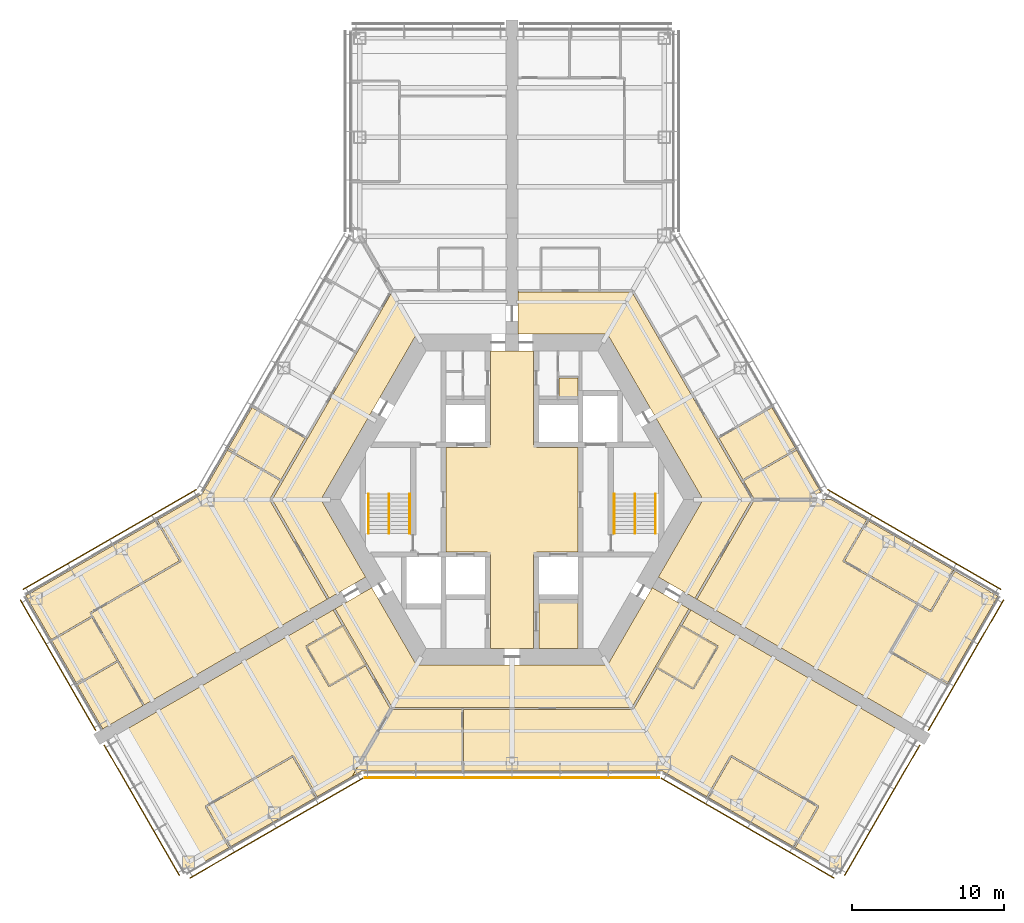
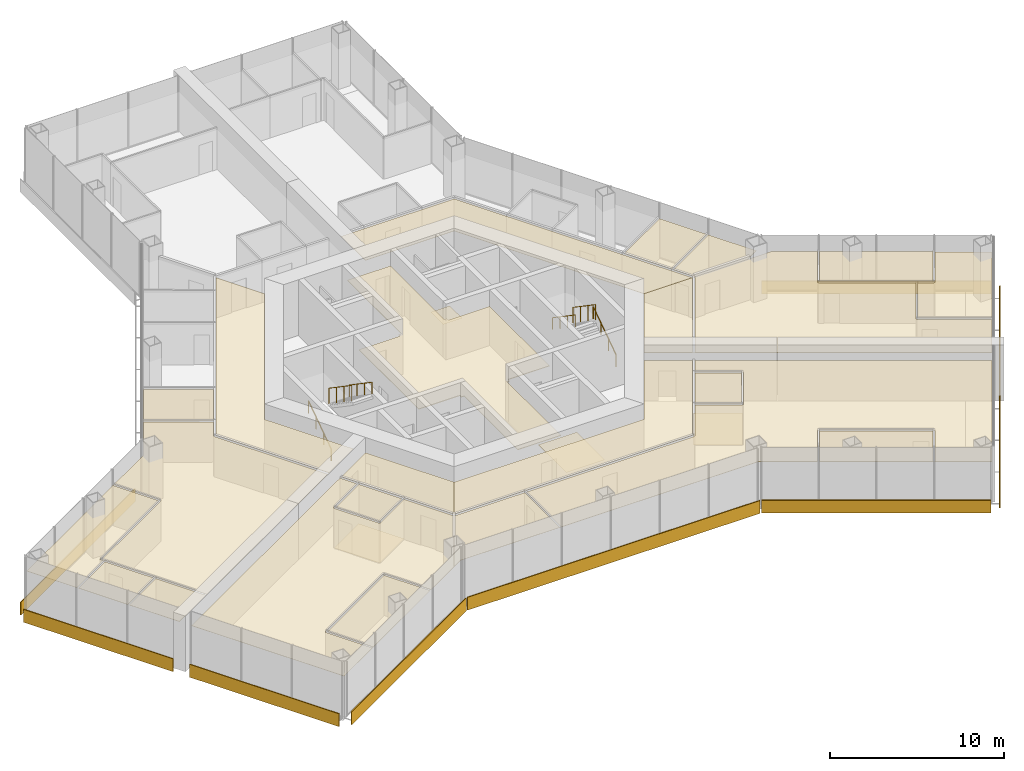
# One storey, part 18 of 19: 27 coverings, 9 shading devices, 6 railings.
"""IFC4 building model written with IfcOpenShell, lengths in metres."""

from ifc_helpers import new_model, si_unit, direction, frame, origin, origin_2d, place, context, subcontext, project, spatial, polyline, rectangle, circle, outline, extrude, material, layer, layer_set, type_object, element, save


model = new_model("IFC4")

# Units and contexts
model_context = context("Model", 3, precision=1e-05, world=origin(), true_north=direction((0.0, 1.0)))
body_context = subcontext(model_context, "Body", "Model", "MODEL_VIEW")
ifc_project = project(units=[si_unit("LENGTHUNIT", "METRE"), si_unit("AREAUNIT", "SQUARE_METRE"), si_unit("VOLUMEUNIT", "CUBIC_METRE"), si_unit("PLANEANGLEUNIT", "RADIAN"), si_unit("MASSUNIT", "GRAM", prefix="KILO")], contexts=[model_context])

# Site, building, storey
site_placement = place(None, origin())
site = spatial("IfcSite", under=ifc_project, at=site_placement, CompositionType="ELEMENT")
building_placement = place(site_placement, origin())
building = spatial("IfcBuilding", under=site, at=building_placement, Name="Kasaneha Research Tower", CompositionType="ELEMENT")
storey_placement = place(building_placement, frame((0.0, 0.0, 96.300048828125)))
storey = spatial("IfcBuildingStorey", under=building, at=storey_placement, Name="L24", CompositionType="ELEMENT", Elevation=96.300048828125)

# Covering
ifc_material_1 = material(Name="Aluminium panel ceiling", Category="aluminium")
ifc_layer_1 = layer(ifc_material_1, 0.0400390625)
ifc_layer_set_1 = layer_set([ifc_layer_1], Name="Lift lobby ceiling 40")
covering_type_1 = type_object("IfcCoveringType", Name="Lift lobby ceiling 40", PredefinedType="CEILING", material=ifc_layer_set_1)
covering_1_placement = place(storey_placement, frame((0.0, 0.0, 2.699951171875)))
element("IfcCovering", 1, at=covering_1_placement, inside=storey, type_object=covering_type_1, Name="Ceiling L24-01", PredefinedType="CEILING", context=body_context, shape_type="SweptSolid", body=[
    extrude(outline(polyline([(1.425048828125, 9.77490234375), (1.425048828125, 3.60009765625), (1.60009765625, 3.60009765625), (1.60009765625, 3.425048828125), (4.324951171875, 3.425048828125), (4.324951171875, -3.425048828125), (1.60009765625, -3.425048828125), (1.60009765625, -3.60009765625), (1.425048828125, -3.60009765625), (1.425048828125, -9.77490234375), (-1.425048828125, -9.77490234375), (-1.425048828125, -3.60009765625), (-1.60009765625, -3.60009765625), (-1.60009765625, -3.425048828125), (-4.324951171875, -3.425048828125), (-4.324951171875, 3.425048828125), (-1.60009765625, 3.425048828125), (-1.60009765625, 3.60009765625), (-1.425048828125, 3.60009765625), (-1.425048828125, 9.77490234375), (1.425048828125, 9.77490234375)])), origin(), (0.0, 0.0, 1.0), 0.0400390625),
])

# Railings
ifc_material_2 = material(Name="Steel", Category="steel")
railing_type_1 = type_object("IfcRailingType", Name="Stair balustrade 1100", PredefinedType="GUARDRAIL", material=ifc_material_2)
for number, where, name in (
    (2, (8.074951171875, 0.375, 2.127197265625), "Stair 1 balustrade L24"),
    (3, (-8.074951171875, 0.375, 2.127197265625), "Stair 2 balustrade L24"),
):
    element("IfcRailing", number, at=place(storey_placement, frame(where)), inside=storey, type_object=railing_type_1, Name=name, PredefinedType="GUARDRAIL", context=body_context, shape_type="SweptSolid", body=[
        extrude(circle(Radius=0.02392578125, at=origin_2d()), frame((0.0, 0.0, 1.076171875), z_axis=(0.0, -0.826240473404, 0.563317565952), x_axis=(1.0, 0.0, 0.0)), (0.0, 0.0, 1.0), 3.14697265625),
        extrude(circle(Radius=0.02099609375, at=origin_2d()), origin(), (0.0, 0.0, 1.0), 1.052001953125),
        extrude(circle(Radius=0.02099609375, at=origin_2d()), frame((0.0, -0.86669921875, 0.5908203125)), (0.0, 0.0, 1.0), 1.052001953125),
        extrude(circle(Radius=0.02099609375, at=origin_2d()), frame((0.0, -1.7333984375, 1.181884765625)), (0.0, 0.0, 1.0), 1.052001953125),
        extrude(circle(Radius=0.02099609375, at=origin_2d()), frame((0.0, -2.60009765625, 1.772705078125)), (0.0, 0.0, 1.0), 1.052001953125),
    ])
ifc_material_3 = material(Name="Steel", Category="steel")
railing_type_2 = type_object("IfcRailingType", Name="Stair handrail 850", PredefinedType="HANDRAIL", material=ifc_material_3)
railing_1_placement = place(storey_placement, frame((9.425048828125, -2.22509765625, 0.17724609375)))
element("IfcRailing", 4, at=railing_1_placement, inside=storey, type_object=railing_type_2, Name="Stair 1 handrail L24", PredefinedType="HANDRAIL", context=body_context, shape_type="SweptSolid", body=[
    extrude(circle(Radius=0.02392578125, at=origin_2d()), frame((0.0, 0.0, 0.826171875), z_axis=(0.0, 0.826240473404, 0.563317565952), x_axis=(-1.0, 0.0, 0.0)), (0.0, 0.0, 1.0), 3.14697265625),
    extrude(circle(Radius=0.02099609375, at=origin_2d()), origin(), (0.0, 0.0, 1.0), 0.802001953125),
    extrude(circle(Radius=0.02099609375, at=origin_2d()), frame((0.0, 0.86669921875, 0.5908203125)), (0.0, 0.0, 1.0), 0.802001953125),
    extrude(circle(Radius=0.02099609375, at=origin_2d()), frame((0.0, 1.7333984375, 1.181884765625)), (0.0, 0.0, 1.0), 0.802001953125),
    extrude(circle(Radius=0.02099609375, at=origin_2d()), frame((0.0, 2.60009765625, 1.772705078125)), (0.0, 0.0, 1.0), 0.802001953125),
])
railing_2_placement = place(storey_placement, frame((6.72509765625, 0.375, 2.127197265625)))
element("IfcRailing", 5, at=railing_2_placement, inside=storey, type_object=railing_type_2, Name="Stair 1 handrail L24", PredefinedType="HANDRAIL", context=body_context, shape_type="SweptSolid", body=[
    extrude(circle(Radius=0.02392578125, at=origin_2d()), frame((0.0, 0.0, 0.826171875), z_axis=(0.0, -0.826240473404, 0.563317565952), x_axis=(1.0, 0.0, 0.0)), (0.0, 0.0, 1.0), 3.14697265625),
    extrude(circle(Radius=0.02099609375, at=origin_2d()), origin(), (0.0, 0.0, 1.0), 0.802001953125),
    extrude(circle(Radius=0.02099609375, at=origin_2d()), frame((0.0, -0.86669921875, 0.5908203125)), (0.0, 0.0, 1.0), 0.802001953125),
    extrude(circle(Radius=0.02099609375, at=origin_2d()), frame((0.0, -1.7333984375, 1.181884765625)), (0.0, 0.0, 1.0), 0.802001953125),
    extrude(circle(Radius=0.02099609375, at=origin_2d()), frame((0.0, -2.60009765625, 1.772705078125)), (0.0, 0.0, 1.0), 0.802001953125),
])
railing_3_placement = place(storey_placement, frame((-9.425048828125, -2.22509765625, 0.17724609375)))
element("IfcRailing", 6, at=railing_3_placement, inside=storey, type_object=railing_type_2, Name="Stair 2 handrail L24", PredefinedType="HANDRAIL", context=body_context, shape_type="SweptSolid", body=[
    extrude(circle(Radius=0.02392578125, at=origin_2d()), frame((0.0, 0.0, 0.826171875), z_axis=(0.0, 0.826240473404, 0.563317565952), x_axis=(-1.0, 0.0, 0.0)), (0.0, 0.0, 1.0), 3.14697265625),
    extrude(circle(Radius=0.02099609375, at=origin_2d()), origin(), (0.0, 0.0, 1.0), 0.802001953125),
    extrude(circle(Radius=0.02099609375, at=origin_2d()), frame((0.0, 0.86669921875, 0.5908203125)), (0.0, 0.0, 1.0), 0.802001953125),
    extrude(circle(Radius=0.02099609375, at=origin_2d()), frame((0.0, 1.7333984375, 1.181884765625)), (0.0, 0.0, 1.0), 0.802001953125),
    extrude(circle(Radius=0.02099609375, at=origin_2d()), frame((0.0, 2.60009765625, 1.772705078125)), (0.0, 0.0, 1.0), 0.802001953125),
])
railing_4_placement = place(storey_placement, frame((-6.72509765625, 0.375, 2.127197265625)))
element("IfcRailing", 7, at=railing_4_placement, inside=storey, type_object=railing_type_2, Name="Stair 2 handrail L24", PredefinedType="HANDRAIL", context=body_context, shape_type="SweptSolid", body=[
    extrude(circle(Radius=0.02392578125, at=origin_2d()), frame((0.0, 0.0, 0.826171875), z_axis=(0.0, -0.826240473404, 0.563317565952), x_axis=(1.0, 0.0, 0.0)), (0.0, 0.0, 1.0), 3.14697265625),
    extrude(circle(Radius=0.02099609375, at=origin_2d()), origin(), (0.0, 0.0, 1.0), 0.802001953125),
    extrude(circle(Radius=0.02099609375, at=origin_2d()), frame((0.0, -0.86669921875, 0.5908203125)), (0.0, 0.0, 1.0), 0.802001953125),
    extrude(circle(Radius=0.02099609375, at=origin_2d()), frame((0.0, -1.7333984375, 1.181884765625)), (0.0, 0.0, 1.0), 0.802001953125),
    extrude(circle(Radius=0.02099609375, at=origin_2d()), frame((0.0, -2.60009765625, 1.772705078125)), (0.0, 0.0, 1.0), 0.802001953125),
])

# Coverings
ifc_material_4 = material(Name="Gypsum ceiling board", Category="gypsum")
ifc_layer_2 = layer(ifc_material_4, 0.02001953125)
ifc_layer_set_2 = layer_set([ifc_layer_2], Name="Suspended ceiling 20")
covering_type_2 = type_object("IfcCoveringType", Name="Suspended ceiling 20", PredefinedType="CEILING", material=ifc_layer_set_2)
covering_2_placement = place(storey_placement, frame((0.0, 0.0, 2.800048828125)))
element("IfcCovering", 8, at=covering_2_placement, inside=storey, type_object=covering_type_2, Name="Ceiling L24-26", PredefinedType="CEILING", context=body_context, shape_type="SweptSolid", body=[
    extrude(outline(polyline([(6.278564453125, 10.875), (0.39990234375, 10.875), (0.39990234375, 11.72509765625), (0.39990234375, 12.72509765625), (0.39990234375, 13.72509765625), (0.419921875, 13.72509765625), (0.419921875, 13.64990234375), (1.89501953125, 13.64990234375), (1.904541015625, 13.64990234375), (5.75244140625, 13.64990234375), (5.761962890625, 13.64990234375), (7.880859375, 13.64990234375), (9.62353515625, 10.631591796875), (9.62353515625, 10.631591796875), (11.123779296875, 8.033203125), (11.123779296875, 8.033203125), (13.446533203125, 4.009765625), (13.44677734375, 4.009765625), (15.070068359375, 1.19775390625), (15.070068359375, 1.19775390625), (15.76171875, 0.0), (15.76171875, 0.0), (12.557373046875, 0.0), (6.278564453125, 10.875)])), origin(), (0.0, 0.0, 1.0), 0.02001953125),
])
covering_3_placement = place(storey_placement, frame((0.0, 0.0, 2.800048828125)))
element("IfcCovering", 9, at=covering_3_placement, inside=storey, type_object=covering_type_2, Name="Ceiling L24-32", PredefinedType="CEILING", context=body_context, shape_type="SweptSolid", body=[
    extrude(outline(polyline([(18.662109375, 3.27734375), (18.63720703125, 3.320556640625), (15.170166015625, 1.32470703125), (13.6015625, 4.04150390625), (17.081298828125, 6.055419921875), (18.679443359375, 3.287353515625), (18.662109375, 3.27734375)])), origin(), (0.0, 0.0, 1.0), 0.02001953125),
])
covering_4_placement = place(storey_placement, frame((0.0, 0.0, 2.800048828125)))
element("IfcCovering", 10, at=covering_4_placement, inside=storey, type_object=covering_type_2, Name="Ceiling L24-33", PredefinedType="CEILING", context=body_context, shape_type="SweptSolid", body=[
    extrude(outline(polyline([(20.28759765625, 0.501708984375), (19.41845703125, 0.0), (15.84814453125, 0.0), (15.836669921875, 0.02001953125), (15.901611328125, 0.0576171875), (15.22021484375, 1.238037109375), (18.68701171875, 3.23388671875), (18.662109375, 3.27734375), (18.679443359375, 3.287353515625), (20.28759765625, 0.501708984375)])), origin(), (0.0, 0.0, 1.0), 0.02001953125),
])
covering_5_placement = place(storey_placement, frame((0.0, 0.0, 2.800048828125)))
element("IfcCovering", 11, at=covering_5_placement, inside=storey, type_object=covering_type_2, Name="Ceiling L24-40", PredefinedType="CEILING", context=body_context, shape_type="SweptSolid", body=[
    extrude(outline(polyline([(-12.557373046875, 0.0), (-9.617919921875, -5.091064453125), (-12.01025390625, -6.47216796875), (-12.086181640625, -6.51611328125), (-12.09619140625, -6.498779296875), (-12.03125, -6.461181640625), (-15.76171875, 0.0), (-15.070068359375, 1.19775390625), (-15.070068359375, 1.19775390625), (-13.44677734375, 4.009765625), (-13.446533203125, 4.009765625), (-10.20068359375, 9.632080078125), (-10.200439453125, 9.632080078125), (-8.577392578125, 12.443603515625), (-8.577392578125, 12.443603515625), (-7.880859375, 13.64990234375), (-7.880859375, 13.64990234375), (-6.278564453125, 10.875), (-12.557373046875, 0.0)])), origin(), (0.0, 0.0, 1.0), 0.02001953125),
])
covering_6_placement = place(storey_placement, frame((0.0, 0.0, 2.800048828125)))
element("IfcCovering", 12, at=covering_6_placement, inside=storey, type_object=covering_type_2, Name="Ceiling L24-41", PredefinedType="CEILING", context=body_context, shape_type="SweptSolid", body=[
    extrude(outline(polyline([(-23.332275390625, -1.36962890625), (-23.37548828125, -1.39453125), (-21.860595703125, -4.018798828125), (-27.730224609375, -7.40869140625), (-27.705322265625, -7.4521484375), (-27.705322265625, -7.4521484375), (-27.582763671875, -7.6650390625), (-27.600341796875, -7.634765625), (-30.283203125, -9.189208984375), (-30.258056640625, -9.232421875), (-30.25830078125, -9.232666015625), (-31.94189453125, -6.31689453125), (-29.075439453125, -4.661865234375), (-28.665771484375, -5.370849609375), (-29.074951171875, -4.662109375), (-23.34228515625, -1.352294921875), (-23.332275390625, -1.36962890625)])), origin(), (0.0, 0.0, 1.0), 0.02001953125),
])
covering_7_placement = place(storey_placement, frame((0.0, 0.0, 2.800048828125)))
element("IfcCovering", 13, at=covering_7_placement, inside=storey, type_object=covering_type_2, Name="Ceiling L24-42", PredefinedType="CEILING", context=body_context, shape_type="SweptSolid", body=[
    extrude(outline(polyline([(-18.679443359375, 3.287353515625), (-17.081298828125, 6.055419921875), (-13.6015625, 4.04150390625), (-15.17041015625, 1.32421875), (-18.63720703125, 3.320556640625), (-18.662109375, 3.27734375), (-18.679443359375, 3.287353515625)])), origin(), (0.0, 0.0, 1.0), 0.02001953125),
])
covering_8_placement = place(storey_placement, frame((0.0, 0.0, 2.800048828125)))
element("IfcCovering", 14, at=covering_8_placement, inside=storey, type_object=covering_type_2, Name="Ceiling L24-43", PredefinedType="CEILING", context=body_context, shape_type="SweptSolid", body=[
    extrude(outline(polyline([(-30.249755859375, -9.246826171875), (-30.23291015625, -9.27587890625), (-27.59765625, -7.748779296875), (-25.96435546875, -10.577880859375), (-28.599609375, -12.10498046875), (-30.249755859375, -9.246826171875)])), origin(), (0.0, 0.0, 1.0), 0.02001953125),
])
covering_9_placement = place(storey_placement, frame((0.0, 0.0, 2.800048828125)))
element("IfcCovering", 15, at=covering_9_placement, inside=storey, type_object=covering_type_2, Name="Ceiling L24-44", PredefinedType="CEILING", context=body_context, shape_type="SweptSolid", body=[
    extrude(outline(polyline([(-24.20654296875, -13.513916015625), (-26.891357421875, -15.063720703125), (-28.572021484375, -12.152587890625), (-28.549560546875, -12.19140625), (-25.914306640625, -10.664306640625), (-24.260009765625, -13.521484375), (-24.216796875, -13.49658203125), (-24.20654296875, -13.513916015625)])), origin(), (0.0, 0.0, 1.0), 0.02001953125),
])
covering_10_placement = place(storey_placement, frame((0.0, 0.0, 2.800048828125)))
element("IfcCovering", 16, at=covering_10_placement, inside=storey, type_object=covering_type_2, Name="Ceiling L24-47", PredefinedType="CEILING", context=body_context, shape_type="SweptSolid", body=[
    extrude(outline(polyline([(-27.705322265625, -7.4521484375), (-27.68017578125, -7.495361328125), (-21.76708984375, -4.080322265625), (-21.7919921875, -4.037353515625), (-21.791748046875, -4.037353515625), (-21.7919921875, -4.036865234375), (-21.748779296875, -4.011962890625), (-23.288818359375, -1.344482421875), (-23.331787109375, -1.369384765625), (-23.341796875, -1.35205078125), (-20.365966796875, 0.365966796875), (-18.6796875, 3.286865234375), (-18.662353515625, 3.27685546875), (-18.68701171875, 3.23388671875), (-15.220458984375, 1.237548828125), (-15.913330078125, 0.03759765625), (-15.8486328125, 0.000244140625), (-15.8486328125, -0.000244140625), (-15.8486328125, -0.000244140625), (-15.913330078125, -0.03759765625), (-12.1611328125, -6.536376953125), (-12.0966796875, -6.4990234375), (-12.086669921875, -6.516357421875), (-13.1748046875, -7.14453125), (-24.206298828125, -13.513671875), (-24.21630859375, -13.496337890625), (-24.17333984375, -13.471435546875), (-25.850341796875, -10.575439453125), (-27.533447265625, -7.65966796875), (-27.572509765625, -7.68212890625), (-27.705322265625, -7.4521484375), (-27.705322265625, -7.4521484375)])), origin(), (0.0, 0.0, 1.0), 0.02001953125),
])
covering_11_placement = place(storey_placement, frame((0.0, 0.0, 2.800048828125)))
element("IfcCovering", 17, at=covering_11_placement, inside=storey, type_object=covering_type_2, Name="Ceiling L24-49", PredefinedType="CEILING", context=body_context, shape_type="SweptSolid", body=[
    extrude(outline(polyline([(-7.880859375, -13.64990234375), (-7.880859375, -13.64990234375), (-9.5234375, -10.8046875), (-9.5234375, -10.804931640625), (-11.023681640625, -8.206298828125), (-11.023681640625, -8.206298828125), (-11.611328125, -7.188720703125), (-11.67626953125, -7.226318359375), (-11.686279296875, -7.208984375), (-9.218017578125, -5.783935546875), (-6.278564453125, -10.875), (-7.880859375, -13.64990234375)])), origin(), (0.0, 0.0, 1.0), 0.02001953125),
])
covering_12_placement = place(storey_placement, frame((0.0, 0.0, 2.800048828125)))
element("IfcCovering", 18, at=covering_12_placement, inside=storey, type_object=covering_type_2, Name="Ceiling L24-50", PredefinedType="CEILING", context=body_context, shape_type="SweptSolid", body=[
    extrude(outline(polyline([(-9.67822265625, -10.836669921875), (-11.992919921875, -12.177734375), (-13.44287109375, -9.66650390625), (-11.1240234375, -8.332763671875), (-9.67822265625, -10.836669921875)])), origin(), (0.0, 0.0, 1.0), 0.02001953125),
])
covering_13_placement = place(storey_placement, frame((0.0, 0.0, 2.800048828125)))
element("IfcCovering", 19, at=covering_13_placement, inside=storey, type_object=covering_type_2, Name="Ceiling L24-51", PredefinedType="CEILING", context=body_context, shape_type="SweptSolid", body=[
    extrude(outline(polyline([(-18.574951171875, -22.8486328125), (-18.5849609375, -22.831298828125), (-18.541748046875, -22.806396484375), (-20.056640625, -20.18212890625), (-14.410400390625, -16.92236328125), (-12.885498046875, -19.563720703125), (-12.84228515625, -19.538818359375), (-12.84228515625, -19.538818359375), (-18.574951171875, -22.8486328125)])), origin(), (0.0, 0.0, 1.0), 0.02001953125),
])
covering_14_placement = place(storey_placement, frame((0.0, 0.0, 2.800048828125)))
element("IfcCovering", 20, at=covering_14_placement, inside=storey, type_object=covering_type_2, Name="Ceiling L24-52", PredefinedType="CEILING", context=body_context, shape_type="SweptSolid", body=[
    extrude(outline(polyline([(-13.511474609375, -9.648193359375), (-13.511474609375, -9.648193359375), (-13.554443359375, -9.673095703125), (-12.054443359375, -12.271240234375), (-12.011474609375, -12.246337890625), (-12.011474609375, -12.24658203125), (-12.010986328125, -12.246337890625), (-11.986083984375, -12.28955078125), (-9.628173828125, -10.923095703125), (-8.000732421875, -13.742431640625), (-7.93603515625, -13.705322265625), (-7.92431640625, -13.725341796875), (-10.5, -18.1865234375), (-12.841796875, -19.53857421875), (-12.841796875, -19.53857421875), (-12.798828125, -19.513916015625), (-14.348876953125, -16.8291015625), (-14.39208984375, -16.85400390625), (-14.392333984375, -16.853515625), (-14.392333984375, -16.853759765625), (-14.417236328125, -16.810791015625), (-20.14990234375, -20.12060546875), (-20.125244140625, -20.16357421875), (-20.125244140625, -20.16357421875), (-20.125, -20.163818359375), (-20.168212890625, -20.18896484375), (-18.62841796875, -22.856201171875), (-18.58544921875, -22.83154296875), (-18.575439453125, -22.848876953125), (-21.44140625, -24.50341796875), (-26.491455078125, -15.756591796875), (-11.6865234375, -7.209228515625), (-11.6767578125, -7.2265625), (-11.7412109375, -7.263671875), (-11.174072265625, -8.24609375), (-13.5361328125, -9.604736328125), (-13.51123046875, -9.64794921875), (-13.511474609375, -9.648193359375)])), origin(), (0.0, 0.0, 1.0), 0.02001953125),
])
covering_15_placement = place(storey_placement, frame((0.0, 0.0, 2.800048828125)))
element("IfcCovering", 21, at=covering_15_placement, inside=storey, type_object=covering_type_2, Name="Ceiling L24-53", PredefinedType="CEILING", context=body_context, shape_type="SweptSolid", body=[
    extrude(outline(polyline([(9.617919921875, -5.091064453125), (12.557373046875, 0.0), (15.76171875, 0.0), (12.03125, -6.461181640625), (12.09619140625, -6.498779296875), (12.086181640625, -6.51611328125), (12.01025390625, -6.47216796875), (9.617919921875, -5.091064453125)])), origin(), (0.0, 0.0, 1.0), 0.02001953125),
])
covering_16_placement = place(storey_placement, frame((0.0, 0.0, 2.800048828125)))
element("IfcCovering", 22, at=covering_16_placement, inside=storey, type_object=covering_type_2, Name="Ceiling L24-54", PredefinedType="CEILING", context=body_context, shape_type="SweptSolid", body=[
    extrude(outline(polyline([(29.074951171875, -4.662109375), (29.0625, -4.68359375), (29.019287109375, -4.65869140625), (27.506591796875, -7.278564453125), (26.6962890625, -6.810546875), (26.6962890625, -6.810546875), (21.860595703125, -4.018798828125), (23.37548828125, -1.39453125), (23.332275390625, -1.36962890625), (23.34228515625, -1.352294921875), (29.074951171875, -4.662109375)])), origin(), (0.0, 0.0, 1.0), 0.02001953125),
])
covering_17_placement = place(storey_placement, frame((0.0, 0.0, 2.800048828125)))
element("IfcCovering", 23, at=covering_17_placement, inside=storey, type_object=covering_type_2, Name="Ceiling L24-55", PredefinedType="CEILING", context=body_context, shape_type="SweptSolid", body=[
    extrude(outline(polyline([(31.92626953125, -6.343017578125), (28.599609375, -12.10498046875), (24.919189453125, -9.97998046875), (26.689453125, -6.922119140625), (27.5, -7.39013671875), (27.52490234375, -7.3466796875), (27.568359375, -7.371826171875), (29.103271484375, -4.713134765625), (31.92626953125, -6.343017578125)])), origin(), (0.0, 0.0, 1.0), 0.02001953125),
])
covering_18_placement = place(storey_placement, frame((0.0, 0.0, 2.800048828125)))
element("IfcCovering", 24, at=covering_18_placement, inside=storey, type_object=covering_type_2, Name="Ceiling L24-56", PredefinedType="CEILING", context=body_context, shape_type="SweptSolid", body=[
    extrude(outline(polyline([(21.0, 0.0), (23.341796875, -1.35205078125), (23.331787109375, -1.369384765625), (23.288818359375, -1.344482421875), (21.748779296875, -4.011962890625), (21.7919921875, -4.036865234375), (21.791748046875, -4.037353515625), (21.7919921875, -4.037353515625), (21.76708984375, -4.080322265625), (26.60302734375, -6.8720703125), (24.8076171875, -9.97314453125), (24.8505859375, -9.998046875), (24.850341796875, -9.99853515625), (24.8505859375, -9.99853515625), (24.82568359375, -10.04150390625), (28.5498046875, -12.19140625), (26.891357421875, -15.063720703125), (14.937744140625, -8.162353515625), (12.086669921875, -6.516357421875), (12.0966796875, -6.4990234375), (12.1611328125, -6.536376953125), (15.901611328125, -0.0576171875), (15.837158203125, -0.020263671875), (15.848876953125, 0.0), (21.0, 0.0)])), origin(), (0.0, 0.0, 1.0), 0.02001953125),
])
covering_19_placement = place(storey_placement, frame((0.0, 0.0, 2.800048828125)))
element("IfcCovering", 25, at=covering_19_placement, inside=storey, type_object=covering_type_2, Name="Ceiling L24-57", PredefinedType="CEILING", context=body_context, shape_type="SweptSolid", body=[
    extrude(outline(polyline([(-6.278564453125, -10.875), (6.278564453125, -10.875), (9.218017578125, -5.783935546875), (11.686279296875, -7.208984375), (11.67626953125, -7.226318359375), (11.611328125, -7.188720703125), (11.023681640625, -8.206298828125), (11.023681640625, -8.206298828125), (9.423583984375, -10.97802734375), (9.42333984375, -10.97802734375), (7.880859375, -13.64990234375), (-3.241455078125, -13.64990234375), (-3.2509765625, -13.64990234375), (-7.880859375, -13.64990234375), (-6.278564453125, -10.875)])), origin(), (0.0, 0.0, 1.0), 0.02001953125),
])
covering_20_placement = place(storey_placement, frame((0.0, 0.0, 2.800048828125)))
element("IfcCovering", 26, at=covering_20_placement, inside=storey, type_object=covering_type_2, Name="Ceiling L24-58", PredefinedType="CEILING", context=body_context, shape_type="SweptSolid", body=[
    extrude(outline(polyline([(11.892822265625, -12.35107421875), (9.578369140625, -11.009765625), (11.1240234375, -8.332763671875), (13.44287109375, -9.66650390625), (11.892822265625, -12.35107421875)])), origin(), (0.0, 0.0, 1.0), 0.02001953125),
])
covering_21_placement = place(storey_placement, frame((0.0, 0.0, 2.800048828125)))
element("IfcCovering", 27, at=covering_21_placement, inside=storey, type_object=covering_type_2, Name="Ceiling L24-59", PredefinedType="CEILING", context=body_context, shape_type="SweptSolid", body=[
    extrude(outline(polyline([(12.84228515625, -19.538818359375), (12.84228515625, -19.538818359375), (12.885498046875, -19.563720703125), (14.410400390625, -16.92236328125), (20.056640625, -20.18212890625), (18.541748046875, -22.806396484375), (18.5849609375, -22.831298828125), (18.574951171875, -22.8486328125), (12.84228515625, -19.538818359375)])), origin(), (0.0, 0.0, 1.0), 0.02001953125),
])
covering_22_placement = place(storey_placement, frame((0.0, 0.0, 2.800048828125)))
element("IfcCovering", 28, at=covering_22_placement, inside=storey, type_object=covering_type_2, Name="Ceiling L24-60", PredefinedType="CEILING", context=body_context, shape_type="SweptSolid", body=[
    extrude(outline(polyline([(-10.50048828125, -18.1865234375), (-7.924560546875, -13.72509765625), (-7.90087890625, -13.72509765625), (-7.90087890625, -13.800048828125), (-3.30078125, -13.800048828125), (-3.29638671875, -17.800537109375), (-3.246337890625, -17.800537109375), (-3.246337890625, -17.820556640625), (-9.865966796875, -17.821044921875), (-10.50048828125, -18.1865234375)])), origin(), (0.0, 0.0, 1.0), 0.02001953125),
])
covering_23_placement = place(storey_placement, frame((0.0, 0.0, 2.800048828125)))
element("IfcCovering", 29, at=covering_23_placement, inside=storey, type_object=covering_type_2, Name="Ceiling L24-61", PredefinedType="CEILING", context=body_context, shape_type="SweptSolid", body=[
    extrude(outline(polyline([(7.92431640625, -13.7255859375), (7.92431640625, -13.72509765625), (7.989013671875, -13.762451171875), (9.5283203125, -11.096435546875), (11.885986328125, -12.462646484375), (11.910888671875, -12.419677734375), (11.911376953125, -12.419921875), (11.911376953125, -12.419677734375), (11.954345703125, -12.4443359375), (13.554443359375, -9.673095703125), (13.511474609375, -9.648193359375), (13.511474609375, -9.648193359375), (13.51123046875, -9.64794921875), (13.5361328125, -9.604736328125), (11.174072265625, -8.24609375), (11.7412109375, -7.263671875), (11.6767578125, -7.2265625), (11.6865234375, -7.209228515625), (26.491455078125, -15.756591796875), (21.44140625, -24.50341796875), (18.575439453125, -22.848876953125), (18.58544921875, -22.83154296875), (18.62841796875, -22.856201171875), (20.168212890625, -20.18896484375), (20.125, -20.1640625), (20.125244140625, -20.16357421875), (20.125244140625, -20.16357421875), (20.14990234375, -20.12060546875), (14.417236328125, -16.810791015625), (14.392333984375, -16.853759765625), (14.392333984375, -16.853759765625), (14.39208984375, -16.85400390625), (14.348876953125, -16.8291015625), (12.798828125, -19.513916015625), (12.841796875, -19.53857421875), (12.841796875, -19.53857421875), (9.865966796875, -17.820556640625), (-3.245849609375, -17.820556640625), (-3.245849609375, -17.800537109375), (-3.1962890625, -17.800537109375), (-3.200927734375, -13.800048828125), (7.924072265625, -13.800048828125), (7.924072265625, -13.7255859375), (7.92431640625, -13.7255859375)])), origin(), (0.0, 0.0, 1.0), 0.02001953125),
])

# Shading devices
ifc_material_5 = material(Name="Terracotta", Category="masonry")
ifc_layer_3 = layer(ifc_material_5, 0.06005859375)
ifc_layer_set_3 = layer_set([ifc_layer_3], Name="Terracotta baguette screen")
shading_device_type = type_object("IfcShadingDeviceType", Name="Terracotta baguette screen", PredefinedType="USERDEFINED", material=ifc_layer_set_3)
shading_device_1_placement = place(storey_placement, frame((-15.483642578125, -21.58349609375, -0.449951171875), z_axis=(0.0, 0.0, 1.0), x_axis=(0.866025411464, 0.499999986699, 0.0)))
element("IfcShadingDevice", 30, at=shading_device_1_placement, inside=storey, type_object=shading_device_type, Name="Baguette screen L24 01", ObjectType="TERRACOTTA BAGUETTE SCREEN", PredefinedType="USERDEFINED", context=body_context, shape_type="SweptSolid", body=[
    extrude(rectangle(XDim=13.13916015625, YDim=0.06005859375, at=origin_2d()), origin(), (0.0, 0.0, 1.0), 0.89990234375),
])
shading_device_2_placement = place(storey_placement, frame((0.0, -18.2705078125, -0.449951171875), z_axis=(0.0, 0.0, 1.0), x_axis=(1.0, 0.0, 0.0)))
element("IfcShadingDevice", 31, at=shading_device_2_placement, inside=storey, type_object=shading_device_type, Name="Baguette screen L24 02", ObjectType="TERRACOTTA BAGUETTE SCREEN", PredefinedType="USERDEFINED", context=body_context, shape_type="SweptSolid", body=[
    extrude(rectangle(XDim=19.37841796875, YDim=0.06005859375, at=origin_2d()), origin(), (0.0, 0.0, 1.0), 0.89990234375),
])
shading_device_3_placement = place(storey_placement, frame((15.483642578125, -21.58349609375, -0.449951171875), z_axis=(0.0, 0.0, 1.0), x_axis=(0.866025411464, -0.499999986699, 0.0)))
element("IfcShadingDevice", 32, at=shading_device_3_placement, inside=storey, type_object=shading_device_type, Name="Baguette screen L24 03", ObjectType="TERRACOTTA BAGUETTE SCREEN", PredefinedType="USERDEFINED", context=body_context, shape_type="SweptSolid", body=[
    extrude(rectangle(XDim=13.13916015625, YDim=0.06005859375, at=origin_2d()), origin(), (0.0, 0.0, 1.0), 0.89990234375),
])
for number, where, z_axis, x_axis, name in (
    (33, (24.3310546875, -20.3984375, -0.449951171875), (0.0, 0.0, 1.0), (0.500000011442, 0.866025397178, 0.0), "Baguette screen L24 04"),
    (34, (29.8310546875, -10.8720703125, -0.449951171875), (0.0, 0.0, 1.0), (0.500000011442, 0.866025397178, 0.0), "Baguette screen L24 05"),
):
    element("IfcShadingDevice", number, at=place(storey_placement, frame(where, z_axis=z_axis, x_axis=x_axis)), inside=storey, type_object=shading_device_type, Name=name, ObjectType="TERRACOTTA BAGUETTE SCREEN", PredefinedType="USERDEFINED", context=body_context, shape_type="SweptSolid", body=[
        extrude(rectangle(XDim=9.89990234375, YDim=0.06005859375, at=origin_2d()), origin(), (0.0, 0.0, 1.0), 0.89990234375),
    ])
for number, where, z_axis, x_axis, name in (
    (35, (26.43359375, -2.617431640625, -0.449951171875), (0.0, 0.0, 1.0), (-0.866025411464, 0.499999986699, 0.0), "Baguette screen L24 06"),
    (36, (-26.43359375, -2.617431640625, -0.449951171875), (0.0, 0.0, 1.0), (-0.866025411464, -0.499999986699, 0.0), "Baguette screen L24 13"),
):
    element("IfcShadingDevice", number, at=place(storey_placement, frame(where, z_axis=z_axis, x_axis=x_axis)), inside=storey, type_object=shading_device_type, Name=name, ObjectType="TERRACOTTA BAGUETTE SCREEN", PredefinedType="USERDEFINED", context=body_context, shape_type="SweptSolid", body=[
        extrude(rectangle(XDim=13.13916015625, YDim=0.06005859375, at=origin_2d()), origin(), (0.0, 0.0, 1.0), 0.89990234375),
    ])
for number, where, z_axis, x_axis, name in (
    (37, (-29.8310546875, -10.8720703125, -0.449951171875), (0.0, 0.0, 1.0), (0.500000011442, -0.866025397178, 0.0), "Baguette screen L24 14"),
    (38, (-24.3310546875, -20.3984375, -0.449951171875), (0.0, 0.0, 1.0), (0.500000011442, -0.866025397178, 0.0), "Baguette screen L24 15"),
):
    element("IfcShadingDevice", number, at=place(storey_placement, frame(where, z_axis=z_axis, x_axis=x_axis)), inside=storey, type_object=shading_device_type, Name=name, ObjectType="TERRACOTTA BAGUETTE SCREEN", PredefinedType="USERDEFINED", context=body_context, shape_type="SweptSolid", body=[
        extrude(rectangle(XDim=9.89990234375, YDim=0.06005859375, at=origin_2d()), origin(), (0.0, 0.0, 1.0), 0.89990234375),
    ])

# Coverings
ifc_material_6 = material(Name="Vinyl sheet flooring", Category="plastic")
ifc_layer_4 = layer(ifc_material_6, 0.0048828125)
ifc_layer_set_4 = layer_set([ifc_layer_4], Name="Wet room sheet flooring 5")
covering_type_3 = type_object("IfcCoveringType", Name="Wet room sheet flooring 5", PredefinedType="FLOORING", material=ifc_layer_set_4)
covering_24_placement = place(storey_placement, origin())
element("IfcCovering", 39, at=covering_24_placement, inside=storey, type_object=covering_type_3, Name="Floor finish L24-10", PredefinedType="FLOORING", context=body_context, shape_type="SweptSolid", body=[
    extrude(outline(polyline([(3.074951171875, 6.574951171875), (3.074951171875, 7.9951171875), (4.324951171875, 7.9951171875), (4.324951171875, 7.0), (4.324951171875, 6.574951171875), (3.074951171875, 6.574951171875)])), origin(), (0.0, 0.0, 1.0), 0.0048828125),
])
covering_25_placement = place(storey_placement, origin())
element("IfcCovering", 40, at=covering_25_placement, inside=storey, type_object=covering_type_3, Name="Floor finish L24-13", PredefinedType="FLOORING", context=body_context, shape_type="SweptSolid", body=[
    extrude(outline(polyline([(1.77490234375, -9.77490234375), (1.77490234375, -6.574951171875), (4.324951171875, -6.574951171875), (4.324951171875, -9.77490234375), (1.77490234375, -9.77490234375)])), origin(), (0.0, 0.0, 1.0), 0.0048828125),
])
covering_26_placement = place(storey_placement, origin())
element("IfcCovering", 41, at=covering_26_placement, inside=storey, type_object=covering_type_3, Name="Floor finish L24-50", PredefinedType="FLOORING", context=body_context, shape_type="SweptSolid", body=[
    extrude(outline(polyline([(-12.010986328125, -12.246337890625), (-13.510986328125, -9.648193359375), (-11.086181640625, -8.248046875), (-9.586181640625, -10.84619140625), (-12.010986328125, -12.246337890625)])), origin(), (0.0, 0.0, 1.0), 0.0048828125),
])
covering_27_placement = place(storey_placement, origin())
element("IfcCovering", 42, at=covering_27_placement, inside=storey, type_object=covering_type_3, Name="Floor finish L24-58", PredefinedType="FLOORING", context=body_context, shape_type="SweptSolid", body=[
    extrude(outline(polyline([(13.510986328125, -9.648193359375), (11.9111328125, -12.41943359375), (9.486083984375, -11.01953125), (11.086181640625, -8.248046875), (13.510986328125, -9.648193359375)])), origin(), (0.0, 0.0, 1.0), 0.0048828125),
])

save(model, "model.ifc")
